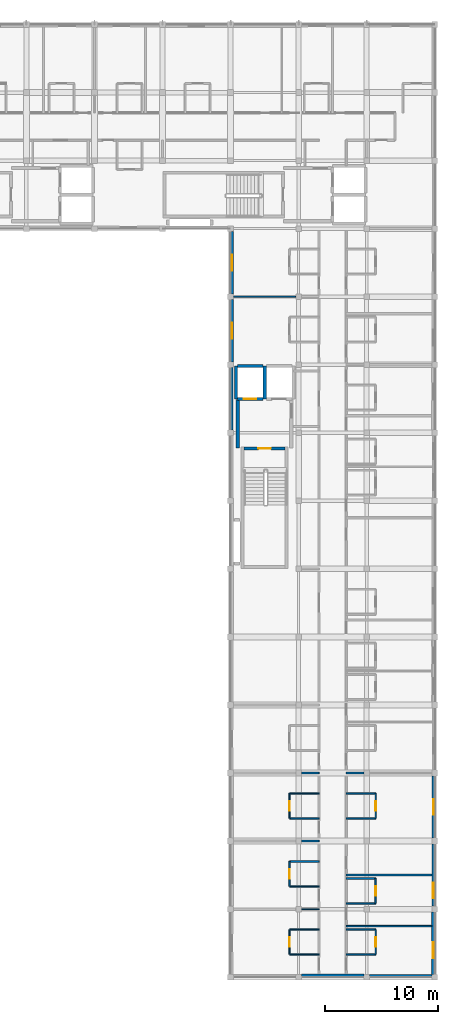
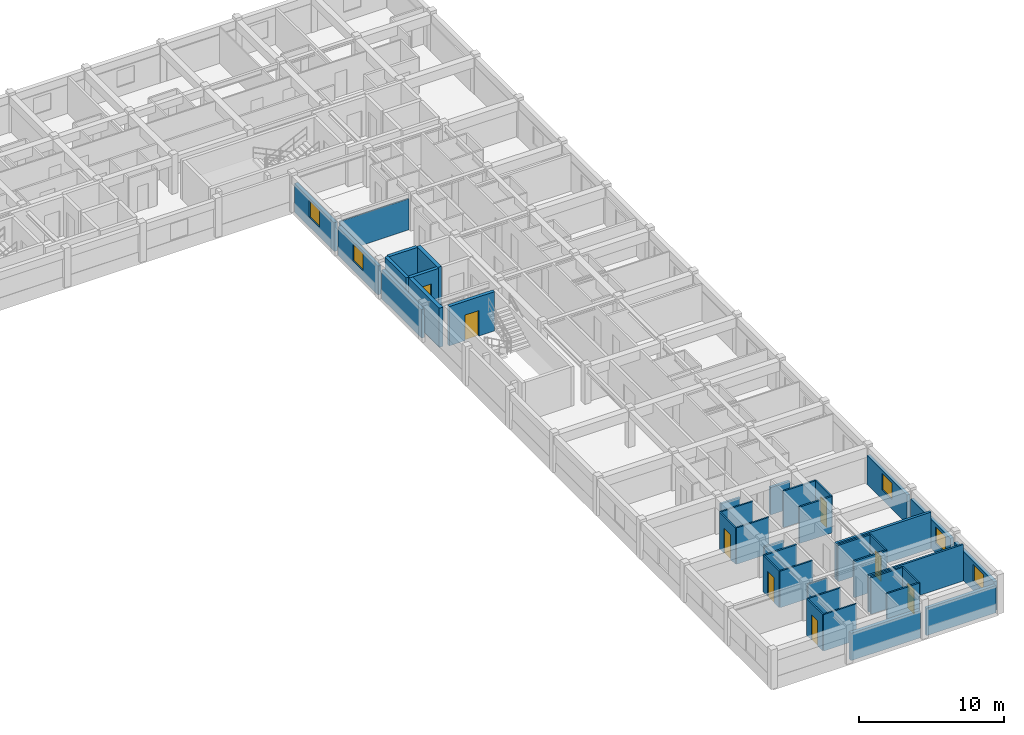
# One storey, part 3 of 15: 39 walls, 8 doors, 5 windows, 13 openings.
"""IFC4 building model written with IfcOpenShell, lengths in metres."""

from ifc_helpers import new_model, si_unit, direction, frame, frame_2d, origin, place, context, subcontext, project, spatial, rectangle, extrude, material, layer, layer_set, type_object, element, fill, save


model = new_model("IFC4")

# Units and contexts
model_context = context("Model", 3, precision=1e-05, world=origin(), true_north=direction((0.0, 1.0)))
body_context = subcontext(model_context, "Body", "Model", "MODEL_VIEW")
ifc_project = project(units=[si_unit("LENGTHUNIT", "METRE"), si_unit("AREAUNIT", "SQUARE_METRE"), si_unit("VOLUMEUNIT", "CUBIC_METRE"), si_unit("PLANEANGLEUNIT", "RADIAN"), si_unit("MASSUNIT", "GRAM", prefix="KILO"), si_unit("THERMODYNAMICTEMPERATUREUNIT", "KELVIN"), si_unit("POWERUNIT", "WATT")], contexts=[model_context])

# Site, building, storey
site_placement = place(None, origin())
site = spatial("IfcSite", under=ifc_project, at=site_placement, CompositionType="ELEMENT")
building_placement = place(site_placement, origin())
building = spatial("IfcBuilding", under=site, at=building_placement, Name="Phaisarnlok Congress Hotel", CompositionType="ELEMENT")
storey_placement = place(building_placement, frame((0.0, 0.0, 41.39990234375)))
storey = spatial("IfcBuildingStorey", under=building, at=storey_placement, Name="L10", CompositionType="ELEMENT", Elevation=41.39990234375)

# Wall, opening, window
ifc_material_1 = material(Name="Concrete C40/50", Category="concrete")
ifc_layer_1 = layer(ifc_material_1, 0.22998046875, Name="Concrete C40/50")
ifc_layer_set_1 = layer_set([ifc_layer_1], Name="Concrete C40/50")
wall_type_1 = type_object("IfcWallType", Name="WL-EXT-230", PredefinedType="SOLIDWALL", material=ifc_layer_set_1)
wall_1_placement = place(storey_placement, frame((179.885009765625, 54.2548828125, 0.0), z_axis=(0.0, 0.0, 1.0), x_axis=(0.0, 1.0, 0.0)))
wall_1 = element("IfcWall", 1, at=wall_1_placement, inside=storey, type_object=wall_type_1, Name="Exterior wall EW-06 (L10)", PredefinedType="SOLIDWALL", context=body_context, shape_type="SweptSolid", body=[
    extrude(rectangle(XDim=5.490234375, YDim=0.22998046875, at=frame_2d((2.7451171875, 0.0))), origin(), (0.0, 0.0, 1.0), 2.445068359375),
])
opening_1_placement = place(wall_1_placement, frame((2.044921875, 0.0, 0.800048828125)))
opening_1 = element("IfcOpeningElement", 2, at=opening_1_placement, cuts=wall_1, Name="Opening W-13", PredefinedType="OPENING", context=body_context, shape_type="SweptSolid", body=[
    extrude(rectangle(XDim=1.39990234375, YDim=1.39990234375, at=frame_2d((0.699951171875, 0.699951171875))), frame((0.0, 0.125, 0.0), z_axis=(0.0, -1.0, 0.0), x_axis=(1.0, 0.0, 0.0)), (0.0, 0.0, 1.0), 0.25),
])
ifc_material_2 = material(Name="Thermally Broken Aluminium & Low-E Double Glazing", Category="aluminium")
window_type = type_object("IfcWindowType", Name="WIN-POD-1400", PartitioningType="SINGLE_PANEL", PredefinedType="WINDOW", material=ifc_material_2)
window_1_placement = place(opening_1_placement, origin())
window_1 = element("IfcWindow", 3, at=window_1_placement, inside=storey, type_object=window_type, Name="Guestroom window W-13 (L10)", OverallHeight=1.39990234375, OverallWidth=1.39990234375, PartitioningType="SINGLE_PANEL", PredefinedType="WINDOW", context=body_context, shape_type="SweptSolid", body=[
    extrude(rectangle(XDim=1.39990234375, YDim=1.39990234375, at=frame_2d((0.699951171875, 0.699951171875))), frame((0.0, 0.030029296875, 0.0), z_axis=(0.0, -1.0, 0.0), x_axis=(1.0, 0.0, 0.0)), (0.0, 0.0, 1.0), 0.06005859375),
])
fill(opening_1, window_1)

# Wall
wall_2_placement = place(storey_placement, frame((162.114990234375, 95.7451171875, 0.0), z_axis=(0.0, 0.0, 1.0), x_axis=(0.0, -1.0, 0.0)))
element("IfcWall", 4, at=wall_2_placement, inside=storey, type_object=wall_type_1, Name="Exterior wall EW-06 (L10)", PredefinedType="SOLIDWALL", context=body_context, shape_type="SweptSolid", body=[
    extrude(rectangle(XDim=5.490234375, YDim=0.22998046875, at=frame_2d((2.7451171875, 0.0))), origin(), (0.0, 0.0, 1.0), 2.41015625),
])

# Wall, opening, window
ifc_layer_2 = layer(ifc_material_1, 0.25, Name="Concrete C40/50")
ifc_layer_set_2 = layer_set([ifc_layer_2], Name="Concrete C40/50")
wall_type_2 = type_object("IfcWallType", Name="WL-EXT-250", PredefinedType="SOLIDWALL", material=ifc_layer_set_2)
wall_3_placement = place(storey_placement, frame((179.875, 48.2548828125, 0.0), z_axis=(0.0, 0.0, 1.0), x_axis=(0.0, 1.0, 0.0)))
wall_3 = element("IfcWall", 5, at=wall_3_placement, inside=storey, type_object=wall_type_2, Name="Exterior wall EW-05 (L10)", PredefinedType="SOLIDWALL", context=body_context, shape_type="SweptSolid", body=[
    extrude(rectangle(XDim=5.490234375, YDim=0.25, at=frame_2d((2.7451171875, 0.0))), origin(), (0.0, 0.0, 1.0), 2.445068359375),
])
opening_2_placement = place(wall_3_placement, frame((0.68310546875, 0.0, 0.800048828125)))
opening_2 = element("IfcOpeningElement", 6, at=opening_2_placement, cuts=wall_3, Name="Opening W-13", PredefinedType="OPENING", context=body_context, shape_type="SweptSolid", body=[
    extrude(rectangle(XDim=1.39990234375, YDim=1.39990234375, at=frame_2d((0.699951171875, 0.699951171875))), frame((0.0, 0.135009765625, 0.0), z_axis=(0.0, -1.0, 0.0), x_axis=(1.0, 0.0, 0.0)), (0.0, 0.0, 1.0), 0.27001953125),
])
window_2_placement = place(opening_2_placement, origin())
window_2 = element("IfcWindow", 7, at=window_2_placement, inside=storey, type_object=window_type, Name="Guestroom window W-13 (L10)", OverallHeight=1.39990234375, OverallWidth=1.39990234375, PartitioningType="SINGLE_PANEL", PredefinedType="WINDOW", context=body_context, shape_type="SweptSolid", body=[
    extrude(rectangle(XDim=1.39990234375, YDim=1.39990234375, at=frame_2d((0.699951171875, 0.699951171875))), frame((0.0, 0.030029296875, 0.0), z_axis=(0.0, -1.0, 0.0), x_axis=(1.0, 0.0, 0.0)), (0.0, 0.0, 1.0), 0.06005859375),
])
fill(opening_2, window_2)

wall_4_placement = place(storey_placement, frame((162.125, 101.7451171875, 0.0), z_axis=(0.0, 0.0, 1.0), x_axis=(0.0, -1.0, 0.0)))
wall_4 = element("IfcWall", 8, at=wall_4_placement, inside=storey, type_object=wall_type_2, Name="Exterior wall EW-05 (L10)", PredefinedType="SOLIDWALL", context=body_context, shape_type="SweptSolid", body=[
    extrude(rectangle(XDim=5.490234375, YDim=0.25, at=frame_2d((2.7451171875, 0.0))), origin(), (0.0, 0.0, 1.0), 2.41015625),
])
opening_3_placement = place(wall_4_placement, frame((2.044921875, 0.0, 0.800048828125)))
opening_3 = element("IfcOpeningElement", 9, at=opening_3_placement, cuts=wall_4, Name="Opening W-13", PredefinedType="OPENING", context=body_context, shape_type="SweptSolid", body=[
    extrude(rectangle(XDim=1.39990234375, YDim=1.39990234375, at=frame_2d((0.699951171875, 0.699951171875))), frame((0.0, 0.135009765625, 0.0), z_axis=(0.0, -1.0, 0.0), x_axis=(1.0, 0.0, 0.0)), (0.0, 0.0, 1.0), 0.27001953125),
])
window_3_placement = place(opening_3_placement, origin())
window_3 = element("IfcWindow", 10, at=window_3_placement, inside=storey, type_object=window_type, Name="Guestroom window W-13 (L10)", OverallHeight=1.39990234375, OverallWidth=1.39990234375, PartitioningType="SINGLE_PANEL", PredefinedType="WINDOW", context=body_context, shape_type="SweptSolid", body=[
    extrude(rectangle(XDim=1.39990234375, YDim=1.39990234375, at=frame_2d((0.699951171875, 0.699951171875))), frame((0.0, 0.030029296875, 0.0), z_axis=(0.0, -1.0, 0.0), x_axis=(1.0, 0.0, 0.0)), (0.0, 0.0, 1.0), 0.06005859375),
])
fill(opening_3, window_3)

# Wall
wall_5_placement = place(storey_placement, frame((174.2548828125, 42.125, 0.0), z_axis=(0.0, 0.0, 1.0), x_axis=(1.0, 0.0, 0.0)))
element("IfcWall", 11, at=wall_5_placement, inside=storey, type_object=wall_type_2, Name="Exterior wall EW-05 (L10)", PredefinedType="SOLIDWALL", context=body_context, shape_type="SweptSolid", body=[
    extrude(rectangle(XDim=5.490234375, YDim=0.25, at=frame_2d((2.7451171875, 0.0))), origin(), (0.0, 0.0, 1.0), 2.295166015625),
])

# Wall, opening, window
ifc_layer_3 = layer(ifc_material_1, 0.27001953125, Name="Concrete C40/50")
ifc_layer_set_3 = layer_set([ifc_layer_3], Name="Concrete C40/50")
wall_type_3 = type_object("IfcWallType", Name="WL-EXT-270", PredefinedType="SOLIDWALL", material=ifc_layer_set_3)
wall_6_placement = place(storey_placement, frame((179.864990234375, 42.2548828125, 0.0), z_axis=(0.0, 0.0, 1.0), x_axis=(0.0, 1.0, 0.0)))
wall_6 = element("IfcWall", 12, at=wall_6_placement, inside=storey, type_object=wall_type_3, Name="Exterior wall EW-04 (L10)", PredefinedType="SOLIDWALL", context=body_context, shape_type="SweptSolid", body=[
    extrude(rectangle(XDim=5.490234375, YDim=0.27001953125, at=frame_2d((2.7451171875, 0.0))), origin(), (0.0, 0.0, 1.0), 2.445068359375),
])
opening_4_placement = place(wall_6_placement, frame((1.43310546875, 0.0, 0.800048828125)))
opening_4 = element("IfcOpeningElement", 13, at=opening_4_placement, cuts=wall_6, Name="Opening W-13", PredefinedType="OPENING", context=body_context, shape_type="SweptSolid", body=[
    extrude(rectangle(XDim=1.39990234375, YDim=1.39990234375, at=frame_2d((0.699951171875, 0.699951171875))), frame((0.0, 0.14501953125, 0.0), z_axis=(0.0, -1.0, 0.0), x_axis=(1.0, 0.0, 0.0)), (0.0, 0.0, 1.0), 0.2900390625),
])
window_4_placement = place(opening_4_placement, origin())
window_4 = element("IfcWindow", 14, at=window_4_placement, inside=storey, type_object=window_type, Name="Guestroom window W-13 (L10)", OverallHeight=1.39990234375, OverallWidth=1.39990234375, PartitioningType="SINGLE_PANEL", PredefinedType="WINDOW", context=body_context, shape_type="SweptSolid", body=[
    extrude(rectangle(XDim=1.39990234375, YDim=1.39990234375, at=frame_2d((0.699951171875, 0.699951171875))), frame((0.0, 0.030029296875, 0.0), z_axis=(0.0, -1.0, 0.0), x_axis=(1.0, 0.0, 0.0)), (0.0, 0.0, 1.0), 0.06005859375),
])
fill(opening_4, window_4)

wall_7_placement = place(storey_placement, frame((162.135009765625, 107.7451171875, 0.0), z_axis=(0.0, 0.0, 1.0), x_axis=(0.0, -1.0, 0.0)))
wall_7 = element("IfcWall", 15, at=wall_7_placement, inside=storey, type_object=wall_type_3, Name="Exterior wall EW-04 (L10)", PredefinedType="SOLIDWALL", context=body_context, shape_type="SweptSolid", body=[
    extrude(rectangle(XDim=5.490234375, YDim=0.27001953125, at=frame_2d((2.7451171875, 0.0))), origin(), (0.0, 0.0, 1.0), 2.41015625),
])
opening_5_placement = place(wall_7_placement, frame((2.044921875, 0.0, 0.800048828125)))
opening_5 = element("IfcOpeningElement", 16, at=opening_5_placement, cuts=wall_7, Name="Opening W-13", PredefinedType="OPENING", context=body_context, shape_type="SweptSolid", body=[
    extrude(rectangle(XDim=1.39990234375, YDim=1.39990234375, at=frame_2d((0.699951171875, 0.699951171875))), frame((0.0, 0.14501953125, 0.0), z_axis=(0.0, -1.0, 0.0), x_axis=(1.0, 0.0, 0.0)), (0.0, 0.0, 1.0), 0.2900390625),
])
window_5_placement = place(opening_5_placement, origin())
window_5 = element("IfcWindow", 17, at=window_5_placement, inside=storey, type_object=window_type, Name="Guestroom window W-13 (L10)", OverallHeight=1.39990234375, OverallWidth=1.39990234375, PartitioningType="SINGLE_PANEL", PredefinedType="WINDOW", context=body_context, shape_type="SweptSolid", body=[
    extrude(rectangle(XDim=1.39990234375, YDim=1.39990234375, at=frame_2d((0.699951171875, 0.699951171875))), frame((0.0, 0.030029296875, 0.0), z_axis=(0.0, -1.0, 0.0), x_axis=(1.0, 0.0, 0.0)), (0.0, 0.0, 1.0), 0.06005859375),
])
fill(opening_5, window_5)

# Walls
wall_8_placement = place(storey_placement, frame((168.2548828125, 42.135009765625, 0.0), z_axis=(0.0, 0.0, 1.0), x_axis=(1.0, 0.0, 0.0)))
element("IfcWall", 18, at=wall_8_placement, inside=storey, type_object=wall_type_3, Name="Exterior wall EW-04 (L10)", PredefinedType="SOLIDWALL", context=body_context, shape_type="SweptSolid", body=[
    extrude(rectangle(XDim=5.490234375, YDim=0.27001953125, at=frame_2d((2.7451171875, 0.0))), origin(), (0.0, 0.0, 1.0), 2.295166015625),
])
ifc_material_3 = material(Name="Service Riser Shaftwall Partition", Category="gypsum")
ifc_layer_4 = layer(ifc_material_3, 0.10498046875, Name="Service Riser Shaftwall Partition")
ifc_layer_set_4 = layer_set([ifc_layer_4], Name="Service Riser Shaftwall Partition")
wall_type_4 = type_object("IfcWallType", Name="WL-INT-105", PredefinedType="PARTITIONING", material=ifc_layer_set_4)
wall_9_placement = place(storey_placement, frame((168.2548828125, 48.0, 0.0), z_axis=(0.0, 0.0, 1.0), x_axis=(1.0, 0.0, 0.0)))
element("IfcWall", 19, at=wall_9_placement, inside=storey, type_object=wall_type_4, Name="Interior partition wall IW-08 (L10)", PredefinedType="PARTITIONING", context=body_context, shape_type="SweptSolid", body=[
    extrude(rectangle(XDim=1.545166015625, YDim=0.10498046875, at=frame_2d((0.7724609375, 0.0))), origin(), (0.0, 0.0, 1.0), 2.80517578125),
])
wall_10_placement = place(storey_placement, frame((162.280029296875, 102.0, 0.0), z_axis=(0.0, 0.0, 1.0), x_axis=(1.0, 0.0, 0.0)))
element("IfcWall", 20, at=wall_10_placement, inside=storey, type_object=wall_type_4, Name="Interior partition wall IW-08 (L10)", PredefinedType="PARTITIONING", context=body_context, shape_type="SweptSolid", body=[
    extrude(rectangle(XDim=5.465087890625, YDim=0.10498046875, at=frame_2d((2.732421875, 0.0))), origin(), (0.0, 0.0, 1.0), 2.610107421875),
])

# Wall, opening, door
ifc_material_4 = material(Name="Lightweight Metal-Stud Gypsum Partition", Category="gypsum")
ifc_layer_5 = layer(ifc_material_4, 0.1201171875, Name="Lightweight Metal-Stud Gypsum Partition")
ifc_layer_set_5 = layer_set([ifc_layer_5], Name="Lightweight Metal-Stud Gypsum Partition")
wall_type_5 = type_object("IfcWallType", Name="WL-INT-120", PredefinedType="PARTITIONING", material=ifc_layer_set_5)
wall_11_placement = place(storey_placement, frame((167.199951171875, 44.0, 0.0), z_axis=(0.0, 0.0, 1.0), x_axis=(0.0, 1.0, 0.0)))
wall_11 = element("IfcWall", 21, at=wall_11_placement, inside=storey, type_object=wall_type_5, Name="Interior partition wall IW-07 (L10)", PredefinedType="PARTITIONING", context=body_context, shape_type="SweptSolid", body=[
    extrude(rectangle(XDim=2.199951171875, YDim=0.1201171875, at=frame_2d((1.10009765625, 0.0))), origin(), (0.0, 0.0, 1.0), 3.06005859375),
])
opening_6_placement = place(wall_11_placement, frame((0.675048828125, 0.0, 0.0)))
opening_6 = element("IfcOpeningElement", 22, at=opening_6_placement, cuts=wall_11, Name="Opening D-0610", PredefinedType="OPENING", context=body_context, shape_type="SweptSolid", body=[
    extrude(rectangle(XDim=0.85009765625, YDim=2.10009765625, at=frame_2d((0.425048828125, 1.050048828125))), frame((0.0, 0.070068359375, 0.0), z_axis=(0.0, -1.0, 0.0), x_axis=(1.0, 0.0, 0.0)), (0.0, 0.0, 1.0), 0.14013671875),
])
ifc_material_5 = material(Name="Moisture-Resistant Lacquered Timber", Category="wood")
door_type_1 = type_object("IfcDoorType", Name="DR-BATH-850", OperationType="NOTDEFINED", PredefinedType="DOOR", material=ifc_material_5)
door_1_placement = place(opening_6_placement, origin())
door_1 = element("IfcDoor", 23, at=door_1_placement, inside=storey, type_object=door_type_1, Name="Interior door D-0610 (L10)", OperationType="SINGLE_SWING_RIGHT", OverallHeight=2.10009765625, OverallWidth=0.85009765625, PredefinedType="DOOR", context=body_context, shape_type="SweptSolid", body=[
    extrude(rectangle(XDim=0.85009765625, YDim=2.10009765625, at=frame_2d((0.425048828125, 1.050048828125))), frame((0.0, 0.02490234375, 0.0), z_axis=(0.0, -1.0, 0.0), x_axis=(1.0, 0.0, 0.0)), (0.0, 0.0, 1.0), 0.050048828125),
])
fill(opening_6, door_1)

wall_12_placement = place(storey_placement, frame((167.199951171875, 56.0, 0.0), z_axis=(0.0, 0.0, 1.0), x_axis=(0.0, 1.0, 0.0)))
wall_12 = element("IfcWall", 24, at=wall_12_placement, inside=storey, type_object=wall_type_5, Name="Interior partition wall IW-07 (L10)", PredefinedType="PARTITIONING", context=body_context, shape_type="SweptSolid", body=[
    extrude(rectangle(XDim=2.199951171875, YDim=0.1201171875, at=frame_2d((1.10009765625, 0.0))), origin(), (0.0, 0.0, 1.0), 3.06005859375),
])
opening_7_placement = place(wall_12_placement, frame((0.675048828125, 0.0, 0.0)))
opening_7 = element("IfcOpeningElement", 25, at=opening_7_placement, cuts=wall_12, Name="Opening D-0614", PredefinedType="OPENING", context=body_context, shape_type="SweptSolid", body=[
    extrude(rectangle(XDim=0.85009765625, YDim=2.10009765625, at=frame_2d((0.425048828125, 1.050048828125))), frame((0.0, 0.070068359375, 0.0), z_axis=(0.0, -1.0, 0.0), x_axis=(1.0, 0.0, 0.0)), (0.0, 0.0, 1.0), 0.14013671875),
])
door_2_placement = place(opening_7_placement, origin())
door_2 = element("IfcDoor", 26, at=door_2_placement, inside=storey, type_object=door_type_1, Name="Interior door D-0614 (L10)", OperationType="SINGLE_SWING_RIGHT", OverallHeight=2.10009765625, OverallWidth=0.85009765625, PredefinedType="DOOR", context=body_context, shape_type="SweptSolid", body=[
    extrude(rectangle(XDim=0.85009765625, YDim=2.10009765625, at=frame_2d((0.425048828125, 1.050048828125))), frame((0.0, 0.02490234375, 0.0), z_axis=(0.0, -1.0, 0.0), x_axis=(1.0, 0.0, 0.0)), (0.0, 0.0, 1.0), 0.050048828125),
])
fill(opening_7, door_2)

wall_13_placement = place(storey_placement, frame((174.800048828125, 44.0, 0.0), z_axis=(0.0, 0.0, 1.0), x_axis=(0.0, 1.0, 0.0)))
wall_13 = element("IfcWall", 27, at=wall_13_placement, inside=storey, type_object=wall_type_5, Name="Interior partition wall IW-07 (L10)", PredefinedType="PARTITIONING", context=body_context, shape_type="SweptSolid", body=[
    extrude(rectangle(XDim=2.199951171875, YDim=0.1201171875, at=frame_2d((1.10009765625, 0.0))), origin(), (0.0, 0.0, 1.0), 3.06005859375),
])
opening_8_placement = place(wall_13_placement, frame((0.675048828125, 0.0, 0.0)))
opening_8 = element("IfcOpeningElement", 28, at=opening_8_placement, cuts=wall_13, Name="Opening D-0585", PredefinedType="OPENING", context=body_context, shape_type="SweptSolid", body=[
    extrude(rectangle(XDim=0.85009765625, YDim=2.10009765625, at=frame_2d((0.425048828125, 1.050048828125))), frame((0.0, 0.070068359375, 0.0), z_axis=(0.0, -1.0, 0.0), x_axis=(1.0, 0.0, 0.0)), (0.0, 0.0, 1.0), 0.14013671875),
])
door_3_placement = place(opening_8_placement, origin())
door_3 = element("IfcDoor", 29, at=door_3_placement, inside=storey, type_object=door_type_1, Name="Interior door D-0585 (L10)", OperationType="SINGLE_SWING_LEFT", OverallHeight=2.10009765625, OverallWidth=0.85009765625, PredefinedType="DOOR", context=body_context, shape_type="SweptSolid", body=[
    extrude(rectangle(XDim=0.85009765625, YDim=2.10009765625, at=frame_2d((0.425048828125, 1.050048828125))), frame((0.0, 0.02490234375, 0.0), z_axis=(0.0, -1.0, 0.0), x_axis=(1.0, 0.0, 0.0)), (0.0, 0.0, 1.0), 0.050048828125),
])
fill(opening_8, door_3)

wall_14_placement = place(storey_placement, frame((174.800048828125, 56.0, 0.0), z_axis=(0.0, 0.0, 1.0), x_axis=(0.0, 1.0, 0.0)))
wall_14 = element("IfcWall", 30, at=wall_14_placement, inside=storey, type_object=wall_type_5, Name="Interior partition wall IW-07 (L10)", PredefinedType="PARTITIONING", context=body_context, shape_type="SweptSolid", body=[
    extrude(rectangle(XDim=2.199951171875, YDim=0.1201171875, at=frame_2d((1.10009765625, 0.0))), origin(), (0.0, 0.0, 1.0), 3.06005859375),
])
opening_9_placement = place(wall_14_placement, frame((0.675048828125, 0.0, 0.0)))
opening_9 = element("IfcOpeningElement", 31, at=opening_9_placement, cuts=wall_14, Name="Opening D-0589", PredefinedType="OPENING", context=body_context, shape_type="SweptSolid", body=[
    extrude(rectangle(XDim=0.85009765625, YDim=2.10009765625, at=frame_2d((0.425048828125, 1.050048828125))), frame((0.0, 0.070068359375, 0.0), z_axis=(0.0, -1.0, 0.0), x_axis=(1.0, 0.0, 0.0)), (0.0, 0.0, 1.0), 0.14013671875),
])
door_4_placement = place(opening_9_placement, origin())
door_4 = element("IfcDoor", 32, at=door_4_placement, inside=storey, type_object=door_type_1, Name="Interior door D-0589 (L10)", OperationType="SINGLE_SWING_LEFT", OverallHeight=2.10009765625, OverallWidth=0.85009765625, PredefinedType="DOOR", context=body_context, shape_type="SweptSolid", body=[
    extrude(rectangle(XDim=0.85009765625, YDim=2.10009765625, at=frame_2d((0.425048828125, 1.050048828125))), frame((0.0, 0.02490234375, 0.0), z_axis=(0.0, -1.0, 0.0), x_axis=(1.0, 0.0, 0.0)), (0.0, 0.0, 1.0), 0.050048828125),
])
fill(opening_9, door_4)

# Walls
for number, where, z_axis, x_axis, name in (
    (33, (167.199951171875, 44.0, 0.0), (0.0, 0.0, 1.0), (1.0, 0.0, 0.0), "Interior partition wall IW-07 (L10)"),
    (34, (167.199951171875, 46.199951171875, 0.0), (0.0, 0.0, 1.0), (1.0, 0.0, 0.0), "Interior partition wall IW-07 (L10)"),
    (35, (167.199951171875, 50.0, 0.0), (0.0, 0.0, 1.0), (1.0, 0.0, 0.0), "Interior partition wall IW-07 (L10)"),
    (36, (167.199951171875, 56.0, 0.0), (0.0, 0.0, 1.0), (1.0, 0.0, 0.0), "Interior partition wall IW-07 (L10)"),
    (37, (167.199951171875, 58.199951171875, 0.0), (0.0, 0.0, 1.0), (1.0, 0.0, 0.0), "Interior partition wall IW-07 (L10)"),
):
    element("IfcWall", number, at=place(storey_placement, frame(where, z_axis=z_axis, x_axis=x_axis)), inside=storey, type_object=wall_type_5, Name=name, PredefinedType="PARTITIONING", context=body_context, shape_type="SweptSolid", body=[
        extrude(rectangle(XDim=2.60009765625, YDim=0.1201171875, at=frame_2d((1.300048828125, 0.0))), origin(), (0.0, 0.0, 1.0), 3.06005859375),
    ])

# Wall, opening, door
ifc_material_6 = material(Name="Moisture-Resistant Gypsum Partition", Category="gypsum")
ifc_layer_6 = layer(ifc_material_6, 0.135009765625, Name="Moisture-Resistant Gypsum Partition")
ifc_layer_set_6 = layer_set([ifc_layer_6], Name="Moisture-Resistant Gypsum Partition")
wall_type_6 = type_object("IfcWallType", Name="WL-INT-135", PredefinedType="PARTITIONING", material=ifc_layer_set_6)
wall_15_placement = place(storey_placement, frame((167.199951171875, 50.0, 0.0), z_axis=(0.0, 0.0, 1.0), x_axis=(0.0, 1.0, 0.0)))
wall_15 = element("IfcWall", 38, at=wall_15_placement, inside=storey, type_object=wall_type_6, Name="Interior partition wall IW-06 (L10)", PredefinedType="PARTITIONING", context=body_context, shape_type="SweptSolid", body=[
    extrude(rectangle(XDim=2.199951171875, YDim=0.135009765625, at=frame_2d((1.10009765625, 0.0))), origin(), (0.0, 0.0, 1.0), 3.06005859375),
])
opening_10_placement = place(wall_15_placement, frame((0.675048828125, 0.0, 0.0)))
opening_10 = element("IfcOpeningElement", 39, at=opening_10_placement, cuts=wall_15, Name="Opening D-0612", PredefinedType="OPENING", context=body_context, shape_type="SweptSolid", body=[
    extrude(rectangle(XDim=0.85009765625, YDim=2.10009765625, at=frame_2d((0.425048828125, 1.050048828125))), frame((0.0, 0.07763671875, 0.0), z_axis=(0.0, -1.0, 0.0), x_axis=(1.0, 0.0, 0.0)), (0.0, 0.0, 1.0), 0.155029296875),
])
door_5_placement = place(opening_10_placement, origin())
door_5 = element("IfcDoor", 40, at=door_5_placement, inside=storey, type_object=door_type_1, Name="Interior door D-0612 (L10)", OperationType="SINGLE_SWING_RIGHT", OverallHeight=2.10009765625, OverallWidth=0.85009765625, PredefinedType="DOOR", context=body_context, shape_type="SweptSolid", body=[
    extrude(rectangle(XDim=0.85009765625, YDim=2.10009765625, at=frame_2d((0.425048828125, 1.050048828125))), frame((0.0, 0.02490234375, 0.0), z_axis=(0.0, -1.0, 0.0), x_axis=(1.0, 0.0, 0.0)), (0.0, 0.0, 1.0), 0.050048828125),
])
fill(opening_10, door_5)

wall_16_placement = place(storey_placement, frame((174.800048828125, 48.5, 0.0), z_axis=(0.0, 0.0, 1.0), x_axis=(0.0, 1.0, 0.0)))
wall_16 = element("IfcWall", 41, at=wall_16_placement, inside=storey, type_object=wall_type_6, Name="Interior partition wall IW-06 (L10)", PredefinedType="PARTITIONING", context=body_context, shape_type="SweptSolid", body=[
    extrude(rectangle(XDim=2.199951171875, YDim=0.135009765625, at=frame_2d((1.10009765625, 0.0))), origin(), (0.0, 0.0, 1.0), 3.06005859375),
])
opening_11_placement = place(wall_16_placement, frame((0.675048828125, 0.0, 0.0)))
opening_11 = element("IfcOpeningElement", 42, at=opening_11_placement, cuts=wall_16, Name="Opening D-0587", PredefinedType="OPENING", context=body_context, shape_type="SweptSolid", body=[
    extrude(rectangle(XDim=0.85009765625, YDim=2.10009765625, at=frame_2d((0.425048828125, 1.050048828125))), frame((0.0, 0.07763671875, 0.0), z_axis=(0.0, -1.0, 0.0), x_axis=(1.0, 0.0, 0.0)), (0.0, 0.0, 1.0), 0.155029296875),
])
door_6_placement = place(opening_11_placement, origin())
door_6 = element("IfcDoor", 43, at=door_6_placement, inside=storey, type_object=door_type_1, Name="Interior door D-0587 (L10)", OperationType="SINGLE_SWING_LEFT", OverallHeight=2.10009765625, OverallWidth=0.85009765625, PredefinedType="DOOR", context=body_context, shape_type="SweptSolid", body=[
    extrude(rectangle(XDim=0.85009765625, YDim=2.10009765625, at=frame_2d((0.425048828125, 1.050048828125))), frame((0.0, 0.02490234375, 0.0), z_axis=(0.0, -1.0, 0.0), x_axis=(1.0, 0.0, 0.0)), (0.0, 0.0, 1.0), 0.050048828125),
])
fill(opening_11, door_6)

# Walls
for number, where, z_axis, x_axis, name in (
    (44, (172.199951171875, 44.0, 0.0), (0.0, 0.0, 1.0), (1.0, 0.0, 0.0), "Interior partition wall IW-06 (L10)"),
    (45, (172.199951171875, 46.199951171875, 0.0), (0.0, 0.0, 1.0), (1.0, 0.0, 0.0), "Interior partition wall IW-06 (L10)"),
    (46, (172.199951171875, 48.5, 0.0), (0.0, 0.0, 1.0), (1.0, 0.0, 0.0), "Interior partition wall IW-06 (L10)"),
    (47, (172.199951171875, 50.699951171875, 0.0), (0.0, 0.0, 1.0), (1.0, 0.0, 0.0), "Interior partition wall IW-06 (L10)"),
    (48, (167.199951171875, 52.199951171875, 0.0), (0.0, 0.0, 1.0), (1.0, 0.0, 0.0), "Interior partition wall IW-06 (L10)"),
    (49, (172.199951171875, 56.0, 0.0), (0.0, 0.0, 1.0), (1.0, 0.0, 0.0), "Interior partition wall IW-06 (L10)"),
    (50, (172.199951171875, 58.199951171875, 0.0), (0.0, 0.0, 1.0), (1.0, 0.0, 0.0), "Interior partition wall IW-06 (L10)"),
):
    element("IfcWall", number, at=place(storey_placement, frame(where, z_axis=z_axis, x_axis=x_axis)), inside=storey, type_object=wall_type_6, Name=name, PredefinedType="PARTITIONING", context=body_context, shape_type="SweptSolid", body=[
        extrude(rectangle(XDim=2.60009765625, YDim=0.135009765625, at=frame_2d((1.300048828125, 0.0))), origin(), (0.0, 0.0, 1.0), 3.06005859375),
    ])
ifc_material_7 = material(Name="Acoustic Gypsum Board & Mineral Wool", Category="gypsum")
ifc_layer_7 = layer(ifc_material_7, 0.14990234375, Name="Acoustic Gypsum Board & Mineral Wool")
ifc_layer_set_7 = layer_set([ifc_layer_7], Name="Acoustic Gypsum Board & Mineral Wool")
wall_type_7 = type_object("IfcWallType", Name="WL-INT-150", PredefinedType="PARTITIONING", material=ifc_layer_set_7)
wall_17_placement = place(storey_placement, frame((172.199951171875, 46.5, 0.0), z_axis=(0.0, 0.0, 1.0), x_axis=(1.0, 0.0, 0.0)))
element("IfcWall", 51, at=wall_17_placement, inside=storey, type_object=wall_type_7, Name="Interior partition wall IW-05 (L10)", PredefinedType="PARTITIONING", context=body_context, shape_type="SweptSolid", body=[
    extrude(rectangle(XDim=7.525146484375, YDim=0.14990234375, at=frame_2d((3.7626953125, 0.0))), origin(), (0.0, 0.0, 1.0), 3.06005859375),
])
wall_18_placement = place(storey_placement, frame((168.2548828125, 60.0, 0.0), z_axis=(0.0, 0.0, 1.0), x_axis=(1.0, 0.0, 0.0)))
element("IfcWall", 52, at=wall_18_placement, inside=storey, type_object=wall_type_7, Name="Interior partition wall IW-05 (L10)", PredefinedType="PARTITIONING", context=body_context, shape_type="SweptSolid", body=[
    extrude(rectangle(XDim=1.545166015625, YDim=0.14990234375, at=frame_2d((0.7724609375, 0.0))), origin(), (0.0, 0.0, 1.0), 2.295166015625),
])
ifc_material_8 = material(Name="Double-Stud Acoustic Gypsum Partition", Category="gypsum")
ifc_layer_8 = layer(ifc_material_8, 0.159912109375, Name="Double-Stud Acoustic Gypsum Partition")
ifc_layer_set_8 = layer_set([ifc_layer_8], Name="Double-Stud Acoustic Gypsum Partition")
wall_type_8 = type_object("IfcWallType", Name="WL-INT-160", PredefinedType="PARTITIONING", material=ifc_layer_set_8)
wall_19_placement = place(storey_placement, frame((168.2548828125, 54.0, 0.0), z_axis=(0.0, 0.0, 1.0), x_axis=(1.0, 0.0, 0.0)))
element("IfcWall", 53, at=wall_19_placement, inside=storey, type_object=wall_type_8, Name="Interior partition wall IW-04 (L10)", PredefinedType="PARTITIONING", context=body_context, shape_type="SweptSolid", body=[
    extrude(rectangle(XDim=1.545166015625, YDim=0.159912109375, at=frame_2d((0.7724609375, 0.0))), origin(), (0.0, 0.0, 1.0), 2.295166015625),
])
ifc_material_9 = material(Name="Autoclaved Aerated Concrete Block", Category="concrete")
ifc_layer_9 = layer(ifc_material_9, 0.199951171875, Name="Autoclaved Aerated Concrete Block")
ifc_layer_set_9 = layer_set([ifc_layer_9], Name="Autoclaved Aerated Concrete Block")
wall_type_9 = type_object("IfcWallType", Name="WL-INT-200", PredefinedType="PARTITIONING", material=ifc_layer_set_9)
wall_20_placement = place(storey_placement, frame((172.199951171875, 51.0, 0.0), z_axis=(0.0, 0.0, 1.0), x_axis=(1.0, 0.0, 0.0)))
element("IfcWall", 54, at=wall_20_placement, inside=storey, type_object=wall_type_9, Name="Interior partition wall IW-02 (L10)", PredefinedType="PARTITIONING", context=body_context, shape_type="SweptSolid", body=[
    extrude(rectangle(XDim=7.545166015625, YDim=0.199951171875, at=frame_2d((3.7724609375, 0.0))), origin(), (0.0, 0.0, 1.0), 3.06005859375),
])
wall_21_placement = place(storey_placement, frame((172.199951171875, 60.0, 0.0), z_axis=(0.0, 0.0, 1.0), x_axis=(1.0, 0.0, 0.0)))
element("IfcWall", 55, at=wall_21_placement, inside=storey, type_object=wall_type_9, Name="Interior partition wall IW-02 (L10)", PredefinedType="PARTITIONING", context=body_context, shape_type="SweptSolid", body=[
    extrude(rectangle(XDim=1.545166015625, YDim=0.199951171875, at=frame_2d((0.7724609375, 0.0))), origin(), (0.0, 0.0, 1.0), 2.295166015625),
])

# Wall, opening, door
ifc_material_10 = material(Name="Concrete C50/60", Category="concrete")
ifc_layer_10 = layer(ifc_material_10, 0.260009765625, Name="Concrete C50/60")
ifc_layer_set_10 = layer_set([ifc_layer_10], Name="Concrete C50/60")
wall_type_10 = type_object("IfcWallType", Name="WL-SHR-260", PredefinedType="SHEAR", material=ifc_layer_set_10)
wall_22_placement = place(storey_placement, frame((163.199951171875, 88.6298828125, 0.0), z_axis=(0.0, 0.0, 1.0), x_axis=(1.0, 0.0, 0.0)))
wall_22 = element("IfcWall", 56, at=wall_22_placement, inside=storey, type_object=wall_type_10, Name="Stair shaft shear wall SW-04 (CORE-3 L10)", PredefinedType="SHEAR", context=body_context, shape_type="SweptSolid", body=[
    extrude(rectangle(XDim=3.60009765625, YDim=0.260009765625, at=frame_2d((1.800048828125, 0.0))), origin(), (0.0, 0.0, 1.0), 3.300048828125),
])
opening_12_placement = place(wall_22_placement, frame((1.25, 0.0, 0.0)))
opening_12 = element("IfcOpeningElement", 57, at=opening_12_placement, cuts=wall_22, Name="Opening FD-072", PredefinedType="OPENING", context=body_context, shape_type="SweptSolid", body=[
    extrude(rectangle(XDim=1.10009765625, YDim=2.14990234375, at=frame_2d((0.550048828125, 1.074951171875))), frame((0.0, 0.14013671875, 0.0), z_axis=(0.0, -1.0, 0.0), x_axis=(1.0, 0.0, 0.0)), (0.0, 0.0, 1.0), 0.280029296875),
])
ifc_material_11 = material(Name="Fire-Rated Steel Frame & Timber Leaf", Category="steel")
door_type_2 = type_object("IfcDoorType", Name="DR-FD60-1100", OperationType="NOTDEFINED", PredefinedType="DOOR", material=ifc_material_11)
door_7_placement = place(opening_12_placement, origin())
door_7 = element("IfcDoor", 58, at=door_7_placement, inside=storey, type_object=door_type_2, Name="Stair enclosure fire door FD-072 (L10)", OperationType="SINGLE_SWING_LEFT", OverallHeight=2.14990234375, OverallWidth=1.10009765625, PredefinedType="DOOR", context=body_context, shape_type="SweptSolid", body=[
    extrude(rectangle(XDim=1.10009765625, YDim=2.14990234375, at=frame_2d((0.550048828125, 1.074951171875))), frame((0.0, 0.02490234375, 0.0), z_axis=(0.0, -1.0, 0.0), x_axis=(1.0, 0.0, 0.0)), (0.0, 0.0, 1.0), 0.050048828125),
])
fill(opening_12, door_7)

# Walls
wall_23_placement = place(storey_placement, frame((162.469970703125, 92.969970703125, 0.0), z_axis=(0.0, 0.0, 1.0), x_axis=(0.0, 1.0, 0.0)))
element("IfcWall", 59, at=wall_23_placement, inside=storey, type_object=wall_type_10, Name="Lift shaft shear wall SW-04 (LF-HP3 L10)", PredefinedType="SHEAR", context=body_context, shape_type="SweptSolid", body=[
    extrude(rectangle(XDim=2.909912109375, YDim=0.260009765625, at=frame_2d((1.455078125, 0.0))), origin(), (0.0, 0.0, 1.0), 3.300048828125),
])
wall_24_placement = place(storey_placement, frame((162.60009765625, 95.8798828125, 0.0), z_axis=(0.0, 0.0, 1.0), x_axis=(1.0, 0.0, 0.0)))
element("IfcWall", 60, at=wall_24_placement, inside=storey, type_object=wall_type_10, Name="Lift shaft shear wall SW-04 (LF-HP3 L10)", PredefinedType="SHEAR", context=body_context, shape_type="SweptSolid", body=[
    extrude(rectangle(XDim=2.25, YDim=0.260009765625, at=frame_2d((1.125, 0.0))), origin(), (0.0, 0.0, 1.0), 3.300048828125),
])

# Wall, opening, door
wall_25_placement = place(storey_placement, frame((162.60009765625, 92.969970703125, 0.0), z_axis=(0.0, 0.0, 1.0), x_axis=(1.0, 0.0, 0.0)))
wall_25 = element("IfcWall", 61, at=wall_25_placement, inside=storey, type_object=wall_type_10, Name="Lift shaft front wall SW-04 (LF-HP3 L10)", PredefinedType="SHEAR", context=body_context, shape_type="SweptSolid", body=[
    extrude(rectangle(XDim=2.25, YDim=0.260009765625, at=frame_2d((1.125, 0.0))), origin(), (0.0, 0.0, 1.0), 3.300048828125),
])
opening_13_placement = place(wall_25_placement, frame((0.574951171875, 0.0, 0.0)))
opening_13 = element("IfcOpeningElement", 62, at=opening_13_placement, cuts=wall_25, Name="Opening LD-072", PredefinedType="OPENING", context=body_context, shape_type="SweptSolid", body=[
    extrude(rectangle(XDim=1.10009765625, YDim=2.199951171875, at=frame_2d((0.550048828125, 1.10009765625))), frame((0.0, 0.14013671875, 0.0), z_axis=(0.0, -1.0, 0.0), x_axis=(1.0, 0.0, 0.0)), (0.0, 0.0, 1.0), 0.280029296875),
])
ifc_material_12 = material(Name="Brushed Stainless Steel Grade 304", Category="steel")
door_type_3 = type_object("IfcDoorType", Name="DR-LD-1100", OperationType="DOUBLE_DOOR_SLIDING", PredefinedType="DOOR", material=ifc_material_12)
door_8_placement = place(opening_13_placement, origin())
door_8 = element("IfcDoor", 63, at=door_8_placement, inside=storey, type_object=door_type_3, Name="Lift landing sliding door LD-072 (LF-HP3 L10)", OperationType="DOUBLE_DOOR_SLIDING", OverallHeight=2.199951171875, OverallWidth=1.10009765625, PredefinedType="DOOR", context=body_context, shape_type="SweptSolid", body=[
    extrude(rectangle(XDim=1.10009765625, YDim=2.199951171875, at=frame_2d((0.550048828125, 1.10009765625))), frame((0.0, 0.02490234375, 0.0), z_axis=(0.0, -1.0, 0.0), x_axis=(1.0, 0.0, 0.0)), (0.0, 0.0, 1.0), 0.050048828125),
])
fill(opening_13, door_8)

# Walls
ifc_layer_11 = layer(ifc_material_10, 0.300048828125, Name="Concrete C50/60")
ifc_layer_set_11 = layer_set([ifc_layer_11], Name="Concrete C50/60")
wall_type_11 = type_object("IfcWallType", Name="WL-SHR-300", PredefinedType="SHEAR", material=ifc_layer_set_11)
wall_26_placement = place(storey_placement, frame((165.0, 92.969970703125, 0.0), z_axis=(0.0, 0.0, 1.0), x_axis=(0.0, 1.0, 0.0)))
element("IfcWall", 64, at=wall_26_placement, inside=storey, type_object=wall_type_11, Name="Lift shaft divider shear wall SW-03 (LF-HP3 L10)", PredefinedType="SHEAR", context=body_context, shape_type="SweptSolid", body=[
    extrude(rectangle(XDim=2.909912109375, YDim=0.300048828125, at=frame_2d((1.455078125, 0.0))), origin(), (0.0, 0.0, 1.0), 3.300048828125),
])
wall_27_placement = place(storey_placement, frame((162.64990234375, 88.679931640625, 0.0), z_axis=(0.0, 0.0, 1.0), x_axis=(0.0, 1.0, 0.0)))
element("IfcWall", 65, at=wall_27_placement, inside=storey, type_object=wall_type_11, Name="Core lobby EI-120 wall SW-03 (CORE-3 L10)", PredefinedType="SHEAR", context=body_context, shape_type="SweptSolid", body=[
    extrude(rectangle(XDim=4.239990234375, YDim=0.300048828125, at=frame_2d((2.1201171875, 0.0))), origin(), (0.0, 0.0, 1.0), 3.300048828125),
])

save(model, "model.ifc")
